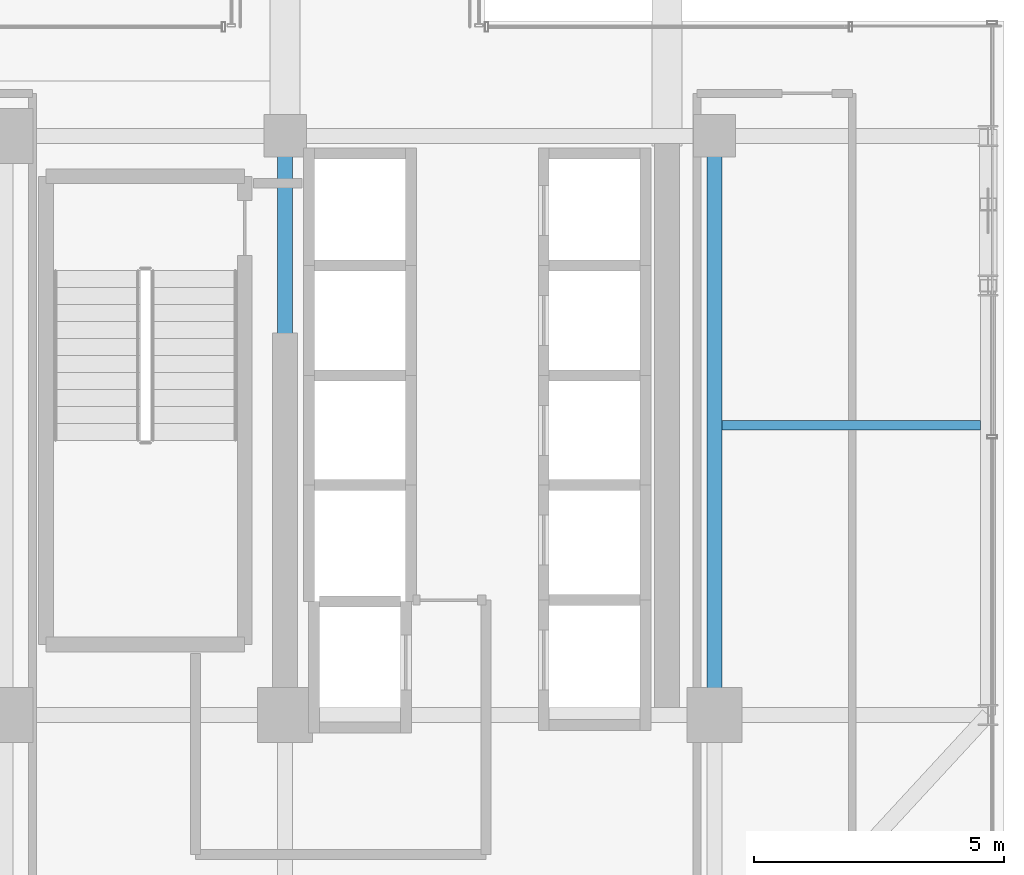
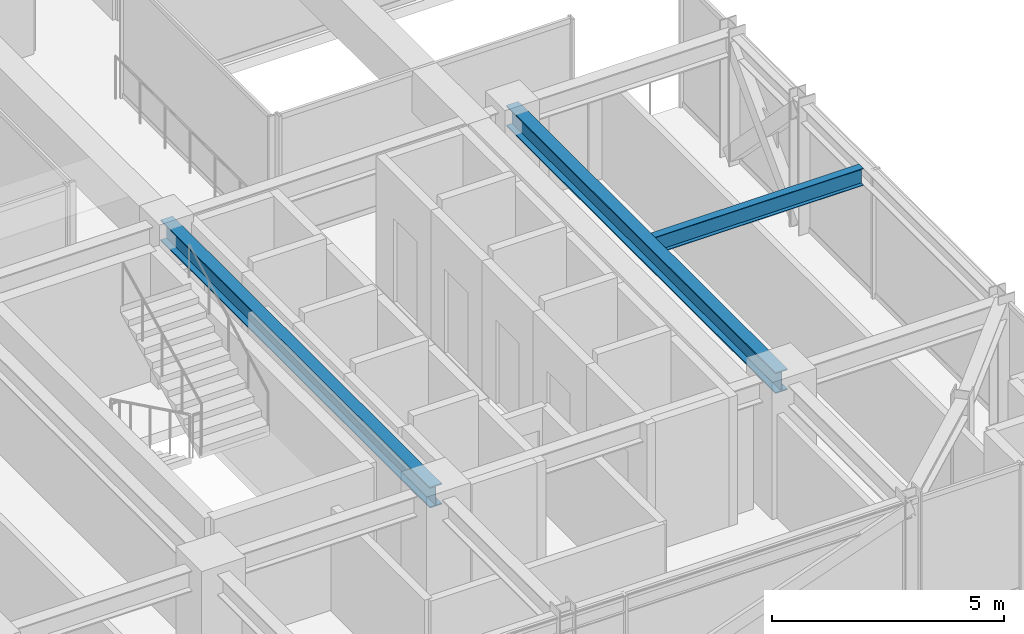
# One storey, part 14 of 37: 3 beams.
"""IFC4 building model written with IfcOpenShell, lengths in metres."""

import ifcopenshell
import ifcopenshell.guid

model = None  # the IFC model being written
_history = None  # IfcOwnerHistory: only IFC2X3 demands one
_inside = {}  # id of a spatial element -> (the spatial element, [elements in it])
_under = {}  # id of a project, library or spatial element -> (it, [spatial elements below it])
_declared = {}  # id of a project -> (the project, [libraries it declares])
_typed = {}  # id of a type object -> (the type object, [elements of that type])
_made_of = {}  # id of a material, layer set ... -> (it, [elements and type objects made of it])


def new_model(schema):
    """Start an empty IFC model of exactly this schema.

    Asked for "IFC4X3", IfcOpenShell would pick the latest addendum, in which some entities
    have other attributes; the version numbers below select the first issue.
    IFC2X3 requires an IfcOwnerHistory on every rooted entity: one is made here for all.
    """
    global model, _history
    if schema == "IFC4X3":
        model = ifcopenshell.file(schema_version=(4, 3, 0, 0))
    else:
        model = ifcopenshell.file(schema=schema)
    _inside.clear()
    _under.clear()
    _declared.clear()
    _typed.clear()
    _made_of.clear()
    _history = None
    if model.schema == "IFC2X3":
        org = make("IfcOrganization", Name="unknown")
        user = make(
            "IfcPersonAndOrganization",
            ThePerson=make("IfcPerson", FamilyName="unknown"),
            TheOrganization=org,
        )
        app = make(
            "IfcApplication",
            ApplicationDeveloper=org,
            Version="unknown",
            ApplicationFullName="unknown",
            ApplicationIdentifier="unknown",
        )
        _history = make(
            "IfcOwnerHistory",
            OwningUser=user,
            OwningApplication=app,
            ChangeAction="ADDED",
            CreationDate=0,
        )
    return model


def make(cls, **values):
    """One entity of the class cls with the attributes given. An attribute that is None is left unset."""
    return model.create_entity(
        cls, **{name: value for name, value in values.items() if value is not None}
    )


def rooted(cls, **values):
    """An entity with a GlobalId (a new one), such as an element, a storey or a relation."""
    return make(cls, GlobalId=ifcopenshell.guid.new(), OwnerHistory=_history, **values)


def si_unit(unit_type, name, prefix=None):
    """IfcSIUnit, for example si_unit("LENGTHUNIT", "METRE", prefix="MILLI")."""
    return make("IfcSIUnit", UnitType=unit_type, Prefix=prefix, Name=name)


def assignment(units):
    """IfcUnitAssignment: the units of a project."""
    return None if units is None else make("IfcUnitAssignment", Units=units)


def point(xyz):
    """IfcCartesianPoint."""
    return None if xyz is None else make("IfcCartesianPoint", Coordinates=xyz)


def direction(xyz):
    """IfcDirection."""
    return None if xyz is None else make("IfcDirection", DirectionRatios=xyz)


def frame(location, z_axis=None, x_axis=None):
    """IfcAxis2Placement3D, a coordinate frame: its origin and axes. An axis left out is left unset."""
    return make(
        "IfcAxis2Placement3D",
        Location=point(location),
        Axis=direction(z_axis),
        RefDirection=direction(x_axis),
    )


def frame_2d(location, x_axis=None):
    """IfcAxis2Placement2D, a coordinate frame in the plane: its origin and x axis."""
    return make(
        "IfcAxis2Placement2D", Location=point(location), RefDirection=direction(x_axis)
    )


def origin():
    """The frame at (0, 0, 0) with its axes left unset."""
    return frame((0.0, 0.0, 0.0))


def origin_2d():
    """The frame at (0, 0) in the plane with its x axis left unset."""
    return frame_2d((0.0, 0.0))


def place(relative_to, where):
    """IfcLocalPlacement: puts the frame where relative to a parent placement (None: the world)."""
    return make(
        "IfcLocalPlacement", PlacementRelTo=relative_to, RelativePlacement=where
    )


def context(
    kind, dimensions, precision=None, world=None, true_north=None, identifier=None
):
    """IfcGeometricRepresentationContext, for example the 3D "Model" context."""
    return make(
        "IfcGeometricRepresentationContext",
        ContextIdentifier=identifier,
        ContextType=kind,
        CoordinateSpaceDimension=dimensions,
        Precision=precision,
        WorldCoordinateSystem=world,
        TrueNorth=true_north,
    )


def subcontext(parent, identifier, kind, view, scale=None):
    """IfcGeometricRepresentationSubContext, for example "Body" below "Model"."""
    return make(
        "IfcGeometricRepresentationSubContext",
        ContextIdentifier=identifier,
        ContextType=kind,
        ParentContext=parent,
        TargetScale=scale,
        TargetView=view,
    )


def project(units=None, contexts=None):
    """IfcProject with its units and contexts."""
    return rooted(
        "IfcProject",
        Name="project",
        RepresentationContexts=contexts,
        UnitsInContext=assignment(units),
    )


def spatial(cls, under=None, at=None, **own):
    """A site, building, storey or space (cls), placed at a placement, below another one or the project."""
    s = rooted(cls, ObjectPlacement=at, **own)
    if under is not None:
        _under.setdefault(under.id(), (under, []))[1].append(s)
    return s


def profile(cls, at=None, kind="AREA", **sizes):
    """A parametric profile (cls). Its sizes go by their IFC names, for example OverallWidth=200.0."""
    return make(cls, ProfileType=kind, Position=at, **sizes)


def i_section(**sizes):
    """IfcIShapeProfileDef."""
    return profile("IfcIShapeProfileDef", **sizes)


def extrude(swept, where, along, depth):
    """IfcExtrudedAreaSolid: the profile swept, set in the frame where, extruded along a direction by depth."""
    return make(
        "IfcExtrudedAreaSolid",
        SweptArea=swept,
        Position=where,
        ExtrudedDirection=direction(along),
        Depth=depth,
    )


def shape(context_of_items, identifier, shape_type, items):
    """IfcShapeRepresentation: the items that make up one representation, for example the "Body"."""
    return make(
        "IfcShapeRepresentation",
        ContextOfItems=context_of_items,
        RepresentationIdentifier=identifier,
        RepresentationType=shape_type,
        Items=items,
    )


def source(mapping_origin, context_of_items, identifier, shape_type, items):
    """IfcRepresentationMap: a shape defined once, which mapped items show again and again."""
    return make(
        "IfcRepresentationMap",
        MappingOrigin=mapping_origin,
        MappedRepresentation=shape(context_of_items, identifier, shape_type, items),
    )


def transform(
    local_origin,
    x_axis=None,
    y_axis=None,
    z_axis=None,
    scale=None,
    scale2=None,
    scale3=None,
    uniform=True,
):
    """IfcCartesianTransformationOperator3D, or its non-uniform kind. x_axis, y_axis, z_axis: its Axis1, 2, 3."""
    if uniform:
        return make(
            "IfcCartesianTransformationOperator3D",
            Axis1=direction(x_axis),
            Axis2=direction(y_axis),
            LocalOrigin=point(local_origin),
            Scale=scale,
            Axis3=direction(z_axis),
        )
    return make(
        "IfcCartesianTransformationOperator3DnonUniform",
        Axis1=direction(x_axis),
        Axis2=direction(y_axis),
        LocalOrigin=point(local_origin),
        Scale=scale,
        Axis3=direction(z_axis),
        Scale2=scale2,
        Scale3=scale3,
    )


def mapped(mapping_source, mapping_target):
    """IfcMappedItem: shows the shape of a source again, moved by a transform."""
    return make(
        "IfcMappedItem", MappingSource=mapping_source, MappingTarget=mapping_target
    )


def material(Name=None, Category=None):
    """IfcMaterial."""
    return make("IfcMaterial", Name=Name, Category=Category)


def material_profile(
    of_material, cross_section, Name=None, Category=None, Priority=None
):
    """IfcMaterialProfile: a cross section and its material."""
    return make(
        "IfcMaterialProfile",
        Name=Name,
        Material=of_material,
        Profile=cross_section,
        Priority=Priority,
        Category=Category,
    )


def profile_set(profiles, Name=None, composite=None):
    """IfcMaterialProfileSet."""
    return make(
        "IfcMaterialProfileSet",
        Name=Name,
        MaterialProfiles=profiles,
        CompositeProfile=composite,
    )


def made_of(thing, what):
    """Note that an element or type object is made of a material, layer set ...; save() writes the relation."""
    if what is not None:
        _made_of.setdefault(what.id(), (what, []))[1].append(thing)
    return thing


def type_object(cls, material=None, **own):
    """A type object (cls), such as IfcWallType, which elements share."""
    return made_of(rooted(cls, **own), material)


def element(
    cls,
    number,
    at=None,
    inside=None,
    cuts=None,
    type_object=None,
    material=None,
    context=None,
    identifier="Body",
    shape_type=None,
    held_by="IfcProductDefinitionShape",
    body=None,
    shapes=None,
    **own,
):
    """One element of the class cls, such as IfcWall. Its Tag is "e" and its number.

    at: its placement. inside: the storey or other place that contains it. cuts: it is an
    opening in that element (IfcRelVoidsElement). A single representation is given by context,
    identifier, shape_type and body (its items); several are given by shapes. held_by: the class
    of the entity that holds the representations. save() writes the other relations.
    """
    e = rooted(cls, Tag="e%d" % number, ObjectPlacement=at, **own)
    if body is not None:
        shapes = [shape(context, identifier, shape_type, body)]
    if shapes is not None:
        e.Representation = make(held_by, Representations=shapes)
    if inside is not None:
        _inside.setdefault(inside.id(), (inside, []))[1].append(e)
    if cuts is not None:
        rooted(
            "IfcRelVoidsElement", RelatingBuildingElement=cuts, RelatedOpeningElement=e
        )
    if type_object is not None:
        _typed.setdefault(type_object.id(), (type_object, []))[1].append(e)
    return made_of(e, material)


def aggregate(whole, parts):
    """IfcRelAggregates: a whole, such as a stair, and the parts it consists of."""
    return rooted("IfcRelAggregates", RelatingObject=whole, RelatedObjects=parts)


def save(model, path):
    """Write the relations noted so far, then the file.

    IfcRelAggregates (storeys below a building ...), IfcRelContainedInSpatialStructure (elements
    in a storey), IfcRelDefinesByType, IfcRelAssociatesMaterial and IfcRelDeclares: one each for
    every whole, place, type object, material and project.
    """
    for whole, parts in _under.values():
        aggregate(whole, parts)
    for where, things in _inside.values():
        rooted(
            "IfcRelContainedInSpatialStructure",
            RelatedElements=things,
            RelatingStructure=where,
        )
    for kind, things in _typed.values():
        rooted("IfcRelDefinesByType", RelatedObjects=things, RelatingType=kind)
    for what, things in _made_of.values():
        rooted("IfcRelAssociatesMaterial", RelatedObjects=things, RelatingMaterial=what)
    for by, libraries in _declared.values():
        rooted("IfcRelDeclares", RelatingContext=by, RelatedDefinitions=libraries)
    model.write(path)


model = new_model("IFC4")

# Units and contexts
model_context = context("Model", 3, precision=1e-05, world=origin(), true_north=direction((0.0, 1.0)))
body_context = subcontext(model_context, "Body", "Model", "MODEL_VIEW")
ifc_project = project(units=[si_unit("LENGTHUNIT", "METRE"), si_unit("AREAUNIT", "SQUARE_METRE"), si_unit("VOLUMEUNIT", "CUBIC_METRE"), si_unit("PLANEANGLEUNIT", "RADIAN"), si_unit("MASSUNIT", "GRAM", prefix="KILO")], contexts=[model_context])

# Site, building, storey
site_placement = place(None, origin())
site = spatial("IfcSite", under=ifc_project, at=site_placement, CompositionType="ELEMENT")
building_placement = place(site_placement, origin())
building = spatial("IfcBuilding", under=site, at=building_placement, Name="Nahalor Promenade Grand Hotel", CompositionType="ELEMENT")
storey_placement = place(building_placement, frame((0.0, 0.0, 167.25)))
storey = spatial("IfcBuildingStorey", under=building, at=storey_placement, Name="L42", CompositionType="ELEMENT", Elevation=167.25)

# Beams
ifc_material = material(Name="Steel S355JR", Category="steel")
ifc_material_profile_1 = material_profile(ifc_material, i_section(OverallWidth=0.3, OverallDepth=0.55, WebThickness=0.015, FlangeThickness=0.029, at=origin_2d()), Name="HEB 550")
ifc_profile_set_1 = profile_set([ifc_material_profile_1], Name="Steel S355JR")
beam_type_1 = type_object("IfcBeamType", Name="Beam-Girder-HEB550", PredefinedType="BEAM", material=ifc_profile_set_1)
shared_shape_1 = source(origin(), body_context, "Body", "SweptSolid", [
    extrude(i_section(OverallWidth=0.3, OverallDepth=0.55, WebThickness=0.015, FlangeThickness=0.029, at=origin_2d()), origin(), (0.0, 0.0, 1.0), 11.60009765625),
])
for number, where, z_axis, x_axis, name in (
    (1, (8.39990234375, -17.0, 3.114990234375), (0.0, 1.0, 0.0), (-1.0, 0.0, 0.0), "BM-L42-GY-4-1"),
    (2, (17.0, -17.0, 3.114990234375), (0.0, 1.0, 0.0), (-1.0, 0.0, 0.0), "BM-L42-GY-5-1"),
):
    element("IfcBeam", number, at=place(storey_placement, frame(where, z_axis=z_axis, x_axis=x_axis)), inside=storey, type_object=beam_type_1, Name=name, PredefinedType="BEAM", context=body_context, shape_type="MappedRepresentation", body=[
        mapped(shared_shape_1, transform((0.0, 0.0, 0.0), scale=1.0)),
    ])
ifc_material_profile_2 = material_profile(ifc_material, i_section(OverallWidth=0.19, OverallDepth=0.45, WebThickness=0.0094, FlangeThickness=0.0146, at=origin_2d()), Name="IPE 450")
ifc_profile_set_2 = profile_set([ifc_material_profile_2], Name="Steel S355JR")
beam_type_2 = type_object("IfcBeamType", Name="Beam-Joist-IPE450", PredefinedType="JOIST", material=ifc_profile_set_2)
shared_shape_2 = source(origin(), body_context, "Body", "SweptSolid", [
    extrude(i_section(OverallWidth=0.19, OverallDepth=0.45, WebThickness=0.0094, FlangeThickness=0.0146, at=origin_2d()), origin(), (0.0, 0.0, 1.0), 5.18017578125),
])
beam_placement = place(storey_placement, frame((17.14990234375, -11.199951171875, 3.1650390625), z_axis=(1.0, 0.0, 0.0), x_axis=(0.0, 1.0, 0.0)))
element("IfcBeam", 3, at=beam_placement, inside=storey, type_object=beam_type_2, Name="BM-L42-JSE-0-2", PredefinedType="JOIST", context=body_context, shape_type="MappedRepresentation", body=[
    mapped(shared_shape_2, transform((0.0, 0.0, 0.0), scale=1.0)),
])

save(model, "model.ifc")
